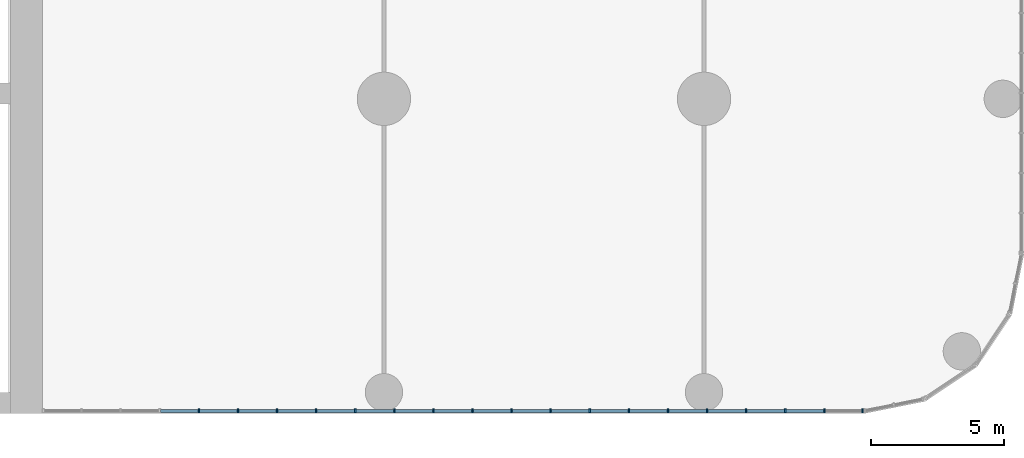
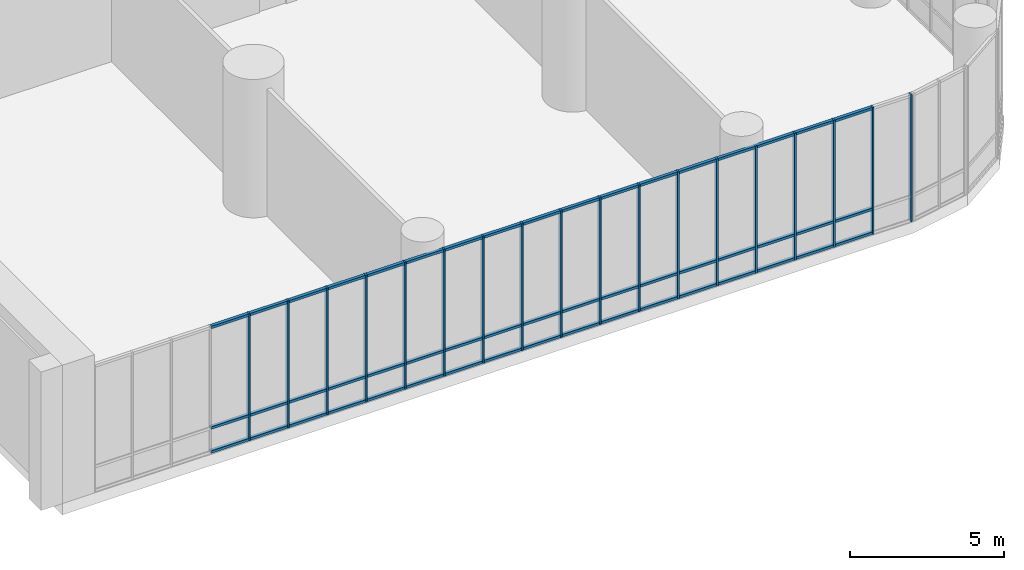
# One storey, part 10 of 28: 69 members, 1 element without a shape of its own.
"""IFC4 building model written with IfcOpenShell, lengths in metres."""

from ifc_helpers import new_model, si_unit, direction, frame, origin, origin_2d, place, context, subcontext, project, spatial, rectangle, extrude, material, layer, layer_set, material_profile, profile_set, type_object, element, aggregate, save


model = new_model("IFC4")

# Units and contexts
model_context = context("Model", 3, precision=1e-05, world=origin(), true_north=direction((0.0, 1.0)))
body_context = subcontext(model_context, "Body", "Model", "MODEL_VIEW")
ifc_project = project(units=[si_unit("LENGTHUNIT", "METRE"), si_unit("AREAUNIT", "SQUARE_METRE"), si_unit("VOLUMEUNIT", "CUBIC_METRE"), si_unit("PLANEANGLEUNIT", "RADIAN"), si_unit("MASSUNIT", "GRAM", prefix="KILO")], contexts=[model_context])

# Site, building, storey
site_placement = place(None, origin())
site = spatial("IfcSite", under=ifc_project, at=site_placement, CompositionType="ELEMENT")
building_placement = place(site_placement, origin())
building = spatial("IfcBuilding", under=site, at=building_placement, Name="Torana Hotel and Residences", CompositionType="ELEMENT")
storey_placement = place(building_placement, frame((0.0, 0.0, 7.0)))
storey = spatial("IfcBuildingStorey", under=building, at=storey_placement, Name="L01", CompositionType="ELEMENT", Elevation=7.0)

# Curtain wall, members
ifc_material_1 = material(Name="Dark anodised aluminium", Category="aluminium")
ifc_layer = layer(ifc_material_1, 0.14990234375)
ifc_layer_set = layer_set([ifc_layer], Name="CW5 PODIUM UPPER UNITISED CURTAIN WALL")
curtain_wall_type = type_object("IfcCurtainWallType", Name="CW5 PODIUM UPPER UNITISED CURTAIN WALL", PredefinedType="NOTDEFINED", material=ifc_layer_set)
curtain_wall_placement = place(storey_placement, origin())
curtain_wall = element("IfcCurtainWall", 1, at=curtain_wall_placement, inside=storey, type_object=curtain_wall_type, Name="Curtain wall CW5 L01 e1.0", PredefinedType="NOTDEFINED")
ifc_material_2 = material(Name="Dark anodised aluminium", Category="aluminium")
ifc_material_profile_1 = material_profile(ifc_material_2, rectangle(XDim=0.14990234375, YDim=0.06005859375, at=origin_2d()), Name="CW5 MULLION 60x150")
ifc_profile_set_1 = profile_set([ifc_material_profile_1], Name="Dark anodised aluminium")
member_type_1 = type_object("IfcMemberType", Name="CW5 MULLION 60x150", PredefinedType="MULLION", material=ifc_profile_set_1)
member_1_placement = place(storey_placement, frame((17.06201171875, -39.89990234375, 0.0), z_axis=(0.0, 0.0, 1.0), x_axis=(0.0, 1.0, 0.0)))
member_1 = element("IfcMember", 2, at=member_1_placement, type_object=member_type_1, Name="CW5 mullion 5", PredefinedType="MULLION", context=body_context, shape_type="SweptSolid", body=[
    extrude(rectangle(XDim=0.14990234375, YDim=0.06005859375, at=origin_2d()), origin(), (0.0, 0.0, 1.0), 5.050048828125),
])
member_2_placement = place(storey_placement, frame((18.527587890625, -39.89990234375, 0.0), z_axis=(0.0, 0.0, 1.0), x_axis=(0.0, 1.0, 0.0)))
member_2 = element("IfcMember", 3, at=member_2_placement, type_object=member_type_1, Name="CW5 mullion 6", PredefinedType="MULLION", context=body_context, shape_type="SweptSolid", body=[
    extrude(rectangle(XDim=0.14990234375, YDim=0.06005859375, at=origin_2d()), origin(), (0.0, 0.0, 1.0), 5.050048828125),
])
member_3_placement = place(storey_placement, frame((19.992919921875, -39.89990234375, 0.0), z_axis=(0.0, 0.0, 1.0), x_axis=(0.0, 1.0, 0.0)))
member_3 = element("IfcMember", 4, at=member_3_placement, type_object=member_type_1, Name="CW5 mullion 7", PredefinedType="MULLION", context=body_context, shape_type="SweptSolid", body=[
    extrude(rectangle(XDim=0.14990234375, YDim=0.06005859375, at=origin_2d()), origin(), (0.0, 0.0, 1.0), 5.050048828125),
])
member_4_placement = place(storey_placement, frame((21.45849609375, -39.89990234375, 0.0), z_axis=(0.0, 0.0, 1.0), x_axis=(0.0, 1.0, 0.0)))
member_4 = element("IfcMember", 5, at=member_4_placement, type_object=member_type_1, Name="CW5 mullion 8", PredefinedType="MULLION", context=body_context, shape_type="SweptSolid", body=[
    extrude(rectangle(XDim=0.14990234375, YDim=0.06005859375, at=origin_2d()), origin(), (0.0, 0.0, 1.0), 5.050048828125),
])
member_5_placement = place(storey_placement, frame((22.924072265625, -39.89990234375, 0.0), z_axis=(0.0, 0.0, 1.0), x_axis=(0.0, 1.0, 0.0)))
member_5 = element("IfcMember", 6, at=member_5_placement, type_object=member_type_1, Name="CW5 mullion 9", PredefinedType="MULLION", context=body_context, shape_type="SweptSolid", body=[
    extrude(rectangle(XDim=0.14990234375, YDim=0.06005859375, at=origin_2d()), origin(), (0.0, 0.0, 1.0), 5.050048828125),
])
member_6_placement = place(storey_placement, frame((24.389404296875, -39.89990234375, 0.0), z_axis=(0.0, 0.0, 1.0), x_axis=(0.0, 1.0, 0.0)))
member_6 = element("IfcMember", 7, at=member_6_placement, type_object=member_type_1, Name="CW5 mullion 10", PredefinedType="MULLION", context=body_context, shape_type="SweptSolid", body=[
    extrude(rectangle(XDim=0.14990234375, YDim=0.06005859375, at=origin_2d()), origin(), (0.0, 0.0, 1.0), 5.050048828125),
])
member_7_placement = place(storey_placement, frame((25.85498046875, -39.89990234375, 0.0), z_axis=(0.0, 0.0, 1.0), x_axis=(0.0, 1.0, 0.0)))
member_7 = element("IfcMember", 8, at=member_7_placement, type_object=member_type_1, Name="CW5 mullion 11", PredefinedType="MULLION", context=body_context, shape_type="SweptSolid", body=[
    extrude(rectangle(XDim=0.14990234375, YDim=0.06005859375, at=origin_2d()), origin(), (0.0, 0.0, 1.0), 5.050048828125),
])
member_8_placement = place(storey_placement, frame((27.320556640625, -39.89990234375, 0.0), z_axis=(0.0, 0.0, 1.0), x_axis=(0.0, 1.0, 0.0)))
member_8 = element("IfcMember", 9, at=member_8_placement, type_object=member_type_1, Name="CW5 mullion 12", PredefinedType="MULLION", context=body_context, shape_type="SweptSolid", body=[
    extrude(rectangle(XDim=0.14990234375, YDim=0.06005859375, at=origin_2d()), origin(), (0.0, 0.0, 1.0), 5.050048828125),
])
member_9_placement = place(storey_placement, frame((28.785888671875, -39.89990234375, 0.0), z_axis=(0.0, 0.0, 1.0), x_axis=(0.0, 1.0, 0.0)))
member_9 = element("IfcMember", 10, at=member_9_placement, type_object=member_type_1, Name="CW5 mullion 13", PredefinedType="MULLION", context=body_context, shape_type="SweptSolid", body=[
    extrude(rectangle(XDim=0.14990234375, YDim=0.06005859375, at=origin_2d()), origin(), (0.0, 0.0, 1.0), 5.050048828125),
])
member_10_placement = place(storey_placement, frame((30.25146484375, -39.89990234375, 0.0), z_axis=(0.0, 0.0, 1.0), x_axis=(0.0, 1.0, 0.0)))
member_10 = element("IfcMember", 11, at=member_10_placement, type_object=member_type_1, Name="CW5 mullion 14", PredefinedType="MULLION", context=body_context, shape_type="SweptSolid", body=[
    extrude(rectangle(XDim=0.14990234375, YDim=0.06005859375, at=origin_2d()), origin(), (0.0, 0.0, 1.0), 5.050048828125),
])
member_11_placement = place(storey_placement, frame((31.717041015625, -39.89990234375, 0.0), z_axis=(0.0, 0.0, 1.0), x_axis=(0.0, 1.0, 0.0)))
member_11 = element("IfcMember", 12, at=member_11_placement, type_object=member_type_1, Name="CW5 mullion 15", PredefinedType="MULLION", context=body_context, shape_type="SweptSolid", body=[
    extrude(rectangle(XDim=0.14990234375, YDim=0.06005859375, at=origin_2d()), origin(), (0.0, 0.0, 1.0), 5.050048828125),
])
member_12_placement = place(storey_placement, frame((33.182373046875, -39.89990234375, 0.0), z_axis=(0.0, 0.0, 1.0), x_axis=(0.0, 1.0, 0.0)))
member_12 = element("IfcMember", 13, at=member_12_placement, type_object=member_type_1, Name="CW5 mullion 16", PredefinedType="MULLION", context=body_context, shape_type="SweptSolid", body=[
    extrude(rectangle(XDim=0.14990234375, YDim=0.06005859375, at=origin_2d()), origin(), (0.0, 0.0, 1.0), 5.050048828125),
])
member_13_placement = place(storey_placement, frame((34.64794921875, -39.89990234375, 0.0), z_axis=(0.0, 0.0, 1.0), x_axis=(0.0, 1.0, 0.0)))
member_13 = element("IfcMember", 14, at=member_13_placement, type_object=member_type_1, Name="CW5 mullion 17", PredefinedType="MULLION", context=body_context, shape_type="SweptSolid", body=[
    extrude(rectangle(XDim=0.14990234375, YDim=0.06005859375, at=origin_2d()), origin(), (0.0, 0.0, 1.0), 5.050048828125),
])
member_14_placement = place(storey_placement, frame((36.113525390625, -39.89990234375, 0.0), z_axis=(0.0, 0.0, 1.0), x_axis=(0.0, 1.0, 0.0)))
member_14 = element("IfcMember", 15, at=member_14_placement, type_object=member_type_1, Name="CW5 mullion 18", PredefinedType="MULLION", context=body_context, shape_type="SweptSolid", body=[
    extrude(rectangle(XDim=0.14990234375, YDim=0.06005859375, at=origin_2d()), origin(), (0.0, 0.0, 1.0), 5.050048828125),
])
member_15_placement = place(storey_placement, frame((37.578857421875, -39.89990234375, 0.0), z_axis=(0.0, 0.0, 1.0), x_axis=(0.0, 1.0, 0.0)))
member_15 = element("IfcMember", 16, at=member_15_placement, type_object=member_type_1, Name="CW5 mullion 19", PredefinedType="MULLION", context=body_context, shape_type="SweptSolid", body=[
    extrude(rectangle(XDim=0.14990234375, YDim=0.06005859375, at=origin_2d()), origin(), (0.0, 0.0, 1.0), 5.050048828125),
])
member_16_placement = place(storey_placement, frame((39.04443359375, -39.89990234375, 0.0), z_axis=(0.0, 0.0, 1.0), x_axis=(0.0, 1.0, 0.0)))
member_16 = element("IfcMember", 17, at=member_16_placement, type_object=member_type_1, Name="CW5 mullion 20", PredefinedType="MULLION", context=body_context, shape_type="SweptSolid", body=[
    extrude(rectangle(XDim=0.14990234375, YDim=0.06005859375, at=origin_2d()), origin(), (0.0, 0.0, 1.0), 5.050048828125),
])
member_17_placement = place(storey_placement, frame((40.510009765625, -39.89990234375, 0.0), z_axis=(0.0, 0.0, 1.0), x_axis=(0.0, 1.0, 0.0)))
member_17 = element("IfcMember", 18, at=member_17_placement, type_object=member_type_1, Name="CW5 mullion 21", PredefinedType="MULLION", context=body_context, shape_type="SweptSolid", body=[
    extrude(rectangle(XDim=0.14990234375, YDim=0.06005859375, at=origin_2d()), origin(), (0.0, 0.0, 1.0), 5.050048828125),
])
member_18_placement = place(storey_placement, frame((41.9453125, -39.89990234375, 0.0), z_axis=(0.0, 0.0, 1.0), x_axis=(0.0, 1.0, 0.0)))
member_18 = element("IfcMember", 19, at=member_18_placement, type_object=member_type_1, Name="CW5 mullion 22", PredefinedType="MULLION", context=body_context, shape_type="SweptSolid", body=[
    extrude(rectangle(XDim=0.14990234375, YDim=0.06005859375, at=origin_2d()), origin(), (0.0, 0.0, 1.0), 5.050048828125),
])
ifc_material_3 = material(Name="Dark anodised aluminium", Category="aluminium")
ifc_material_profile_2 = material_profile(ifc_material_3, rectangle(XDim=0.1201171875, YDim=0.10009765625, at=origin_2d()), Name="CW5 TRANSOM 120x100")
ifc_profile_set_2 = profile_set([ifc_material_profile_2], Name="Dark anodised aluminium")
member_type_2 = type_object("IfcMemberType", Name="CW5 TRANSOM 120x100", PredefinedType="USERDEFINED", material=ifc_profile_set_2)
member_19_placement = place(storey_placement, frame((15.62646484375, -39.89990234375, 0.050048828125), z_axis=(1.0, 0.0, 0.0), x_axis=(0.0, 1.0, 0.0)))
member_19 = element("IfcMember", 20, at=member_19_placement, type_object=member_type_2, Name="CW5 transom 4.1", ObjectType="TRANSOM", PredefinedType="USERDEFINED", context=body_context, shape_type="SweptSolid", body=[
    extrude(rectangle(XDim=0.1201171875, YDim=0.10009765625, at=origin_2d()), origin(), (0.0, 0.0, 1.0), 1.405517578125),
])
member_20_placement = place(storey_placement, frame((15.62646484375, -39.89990234375, 1.0), z_axis=(1.0, 0.0, 0.0), x_axis=(0.0, 1.0, 0.0)))
member_20 = element("IfcMember", 21, at=member_20_placement, type_object=member_type_2, Name="CW5 transom 4.2", ObjectType="TRANSOM", PredefinedType="USERDEFINED", context=body_context, shape_type="SweptSolid", body=[
    extrude(rectangle(XDim=0.1201171875, YDim=0.10009765625, at=origin_2d()), origin(), (0.0, 0.0, 1.0), 1.405517578125),
])
member_21_placement = place(storey_placement, frame((15.62646484375, -39.89990234375, 5.0), z_axis=(1.0, 0.0, 0.0), x_axis=(0.0, 1.0, 0.0)))
member_21 = element("IfcMember", 22, at=member_21_placement, type_object=member_type_2, Name="CW5 transom 4.3", ObjectType="TRANSOM", PredefinedType="USERDEFINED", context=body_context, shape_type="SweptSolid", body=[
    extrude(rectangle(XDim=0.1201171875, YDim=0.10009765625, at=origin_2d()), origin(), (0.0, 0.0, 1.0), 1.405517578125),
])
member_22_placement = place(storey_placement, frame((17.092041015625, -39.89990234375, 0.050048828125), z_axis=(1.0, 0.0, 0.0), x_axis=(0.0, 1.0, 0.0)))
member_22 = element("IfcMember", 23, at=member_22_placement, type_object=member_type_2, Name="CW5 transom 5.1", ObjectType="TRANSOM", PredefinedType="USERDEFINED", context=body_context, shape_type="SweptSolid", body=[
    extrude(rectangle(XDim=0.1201171875, YDim=0.10009765625, at=origin_2d()), origin(), (0.0, 0.0, 1.0), 1.405517578125),
])
member_23_placement = place(storey_placement, frame((17.092041015625, -39.89990234375, 1.0), z_axis=(1.0, 0.0, 0.0), x_axis=(0.0, 1.0, 0.0)))
member_23 = element("IfcMember", 24, at=member_23_placement, type_object=member_type_2, Name="CW5 transom 5.2", ObjectType="TRANSOM", PredefinedType="USERDEFINED", context=body_context, shape_type="SweptSolid", body=[
    extrude(rectangle(XDim=0.1201171875, YDim=0.10009765625, at=origin_2d()), origin(), (0.0, 0.0, 1.0), 1.405517578125),
])
member_24_placement = place(storey_placement, frame((17.092041015625, -39.89990234375, 5.0), z_axis=(1.0, 0.0, 0.0), x_axis=(0.0, 1.0, 0.0)))
member_24 = element("IfcMember", 25, at=member_24_placement, type_object=member_type_2, Name="CW5 transom 5.3", ObjectType="TRANSOM", PredefinedType="USERDEFINED", context=body_context, shape_type="SweptSolid", body=[
    extrude(rectangle(XDim=0.1201171875, YDim=0.10009765625, at=origin_2d()), origin(), (0.0, 0.0, 1.0), 1.405517578125),
])
member_25_placement = place(storey_placement, frame((18.557373046875, -39.89990234375, 0.050048828125), z_axis=(1.0, 0.0, 0.0), x_axis=(0.0, 1.0, 0.0)))
member_25 = element("IfcMember", 26, at=member_25_placement, type_object=member_type_2, Name="CW5 transom 6.1", ObjectType="TRANSOM", PredefinedType="USERDEFINED", context=body_context, shape_type="SweptSolid", body=[
    extrude(rectangle(XDim=0.1201171875, YDim=0.10009765625, at=origin_2d()), origin(), (0.0, 0.0, 1.0), 1.405517578125),
])
member_26_placement = place(storey_placement, frame((18.557373046875, -39.89990234375, 1.0), z_axis=(1.0, 0.0, 0.0), x_axis=(0.0, 1.0, 0.0)))
member_26 = element("IfcMember", 27, at=member_26_placement, type_object=member_type_2, Name="CW5 transom 6.2", ObjectType="TRANSOM", PredefinedType="USERDEFINED", context=body_context, shape_type="SweptSolid", body=[
    extrude(rectangle(XDim=0.1201171875, YDim=0.10009765625, at=origin_2d()), origin(), (0.0, 0.0, 1.0), 1.405517578125),
])
member_27_placement = place(storey_placement, frame((18.557373046875, -39.89990234375, 5.0), z_axis=(1.0, 0.0, 0.0), x_axis=(0.0, 1.0, 0.0)))
member_27 = element("IfcMember", 28, at=member_27_placement, type_object=member_type_2, Name="CW5 transom 6.3", ObjectType="TRANSOM", PredefinedType="USERDEFINED", context=body_context, shape_type="SweptSolid", body=[
    extrude(rectangle(XDim=0.1201171875, YDim=0.10009765625, at=origin_2d()), origin(), (0.0, 0.0, 1.0), 1.405517578125),
])
member_28_placement = place(storey_placement, frame((20.02294921875, -39.89990234375, 0.050048828125), z_axis=(1.0, 0.0, 0.0), x_axis=(0.0, 1.0, 0.0)))
member_28 = element("IfcMember", 29, at=member_28_placement, type_object=member_type_2, Name="CW5 transom 7.1", ObjectType="TRANSOM", PredefinedType="USERDEFINED", context=body_context, shape_type="SweptSolid", body=[
    extrude(rectangle(XDim=0.1201171875, YDim=0.10009765625, at=origin_2d()), origin(), (0.0, 0.0, 1.0), 1.405517578125),
])
member_29_placement = place(storey_placement, frame((20.02294921875, -39.89990234375, 1.0), z_axis=(1.0, 0.0, 0.0), x_axis=(0.0, 1.0, 0.0)))
member_29 = element("IfcMember", 30, at=member_29_placement, type_object=member_type_2, Name="CW5 transom 7.2", ObjectType="TRANSOM", PredefinedType="USERDEFINED", context=body_context, shape_type="SweptSolid", body=[
    extrude(rectangle(XDim=0.1201171875, YDim=0.10009765625, at=origin_2d()), origin(), (0.0, 0.0, 1.0), 1.405517578125),
])
member_30_placement = place(storey_placement, frame((20.02294921875, -39.89990234375, 5.0), z_axis=(1.0, 0.0, 0.0), x_axis=(0.0, 1.0, 0.0)))
member_30 = element("IfcMember", 31, at=member_30_placement, type_object=member_type_2, Name="CW5 transom 7.3", ObjectType="TRANSOM", PredefinedType="USERDEFINED", context=body_context, shape_type="SweptSolid", body=[
    extrude(rectangle(XDim=0.1201171875, YDim=0.10009765625, at=origin_2d()), origin(), (0.0, 0.0, 1.0), 1.405517578125),
])
member_31_placement = place(storey_placement, frame((21.488525390625, -39.89990234375, 0.050048828125), z_axis=(1.0, 0.0, 0.0), x_axis=(0.0, 1.0, 0.0)))
member_31 = element("IfcMember", 32, at=member_31_placement, type_object=member_type_2, Name="CW5 transom 8.1", ObjectType="TRANSOM", PredefinedType="USERDEFINED", context=body_context, shape_type="SweptSolid", body=[
    extrude(rectangle(XDim=0.1201171875, YDim=0.10009765625, at=origin_2d()), origin(), (0.0, 0.0, 1.0), 1.405517578125),
])
member_32_placement = place(storey_placement, frame((21.488525390625, -39.89990234375, 1.0), z_axis=(1.0, 0.0, 0.0), x_axis=(0.0, 1.0, 0.0)))
member_32 = element("IfcMember", 33, at=member_32_placement, type_object=member_type_2, Name="CW5 transom 8.2", ObjectType="TRANSOM", PredefinedType="USERDEFINED", context=body_context, shape_type="SweptSolid", body=[
    extrude(rectangle(XDim=0.1201171875, YDim=0.10009765625, at=origin_2d()), origin(), (0.0, 0.0, 1.0), 1.405517578125),
])
member_33_placement = place(storey_placement, frame((21.488525390625, -39.89990234375, 5.0), z_axis=(1.0, 0.0, 0.0), x_axis=(0.0, 1.0, 0.0)))
member_33 = element("IfcMember", 34, at=member_33_placement, type_object=member_type_2, Name="CW5 transom 8.3", ObjectType="TRANSOM", PredefinedType="USERDEFINED", context=body_context, shape_type="SweptSolid", body=[
    extrude(rectangle(XDim=0.1201171875, YDim=0.10009765625, at=origin_2d()), origin(), (0.0, 0.0, 1.0), 1.405517578125),
])
member_34_placement = place(storey_placement, frame((22.953857421875, -39.89990234375, 0.050048828125), z_axis=(1.0, 0.0, 0.0), x_axis=(0.0, 1.0, 0.0)))
member_34 = element("IfcMember", 35, at=member_34_placement, type_object=member_type_2, Name="CW5 transom 9.1", ObjectType="TRANSOM", PredefinedType="USERDEFINED", context=body_context, shape_type="SweptSolid", body=[
    extrude(rectangle(XDim=0.1201171875, YDim=0.10009765625, at=origin_2d()), origin(), (0.0, 0.0, 1.0), 1.405517578125),
])
member_35_placement = place(storey_placement, frame((22.953857421875, -39.89990234375, 1.0), z_axis=(1.0, 0.0, 0.0), x_axis=(0.0, 1.0, 0.0)))
member_35 = element("IfcMember", 36, at=member_35_placement, type_object=member_type_2, Name="CW5 transom 9.2", ObjectType="TRANSOM", PredefinedType="USERDEFINED", context=body_context, shape_type="SweptSolid", body=[
    extrude(rectangle(XDim=0.1201171875, YDim=0.10009765625, at=origin_2d()), origin(), (0.0, 0.0, 1.0), 1.405517578125),
])
member_36_placement = place(storey_placement, frame((22.953857421875, -39.89990234375, 5.0), z_axis=(1.0, 0.0, 0.0), x_axis=(0.0, 1.0, 0.0)))
member_36 = element("IfcMember", 37, at=member_36_placement, type_object=member_type_2, Name="CW5 transom 9.3", ObjectType="TRANSOM", PredefinedType="USERDEFINED", context=body_context, shape_type="SweptSolid", body=[
    extrude(rectangle(XDim=0.1201171875, YDim=0.10009765625, at=origin_2d()), origin(), (0.0, 0.0, 1.0), 1.405517578125),
])
member_37_placement = place(storey_placement, frame((24.41943359375, -39.89990234375, 0.050048828125), z_axis=(1.0, 0.0, 0.0), x_axis=(0.0, 1.0, 0.0)))
member_37 = element("IfcMember", 38, at=member_37_placement, type_object=member_type_2, Name="CW5 transom 10.1", ObjectType="TRANSOM", PredefinedType="USERDEFINED", context=body_context, shape_type="SweptSolid", body=[
    extrude(rectangle(XDim=0.1201171875, YDim=0.10009765625, at=origin_2d()), origin(), (0.0, 0.0, 1.0), 1.405517578125),
])
member_38_placement = place(storey_placement, frame((24.41943359375, -39.89990234375, 1.0), z_axis=(1.0, 0.0, 0.0), x_axis=(0.0, 1.0, 0.0)))
member_38 = element("IfcMember", 39, at=member_38_placement, type_object=member_type_2, Name="CW5 transom 10.2", ObjectType="TRANSOM", PredefinedType="USERDEFINED", context=body_context, shape_type="SweptSolid", body=[
    extrude(rectangle(XDim=0.1201171875, YDim=0.10009765625, at=origin_2d()), origin(), (0.0, 0.0, 1.0), 1.405517578125),
])
member_39_placement = place(storey_placement, frame((24.41943359375, -39.89990234375, 5.0), z_axis=(1.0, 0.0, 0.0), x_axis=(0.0, 1.0, 0.0)))
member_39 = element("IfcMember", 40, at=member_39_placement, type_object=member_type_2, Name="CW5 transom 10.3", ObjectType="TRANSOM", PredefinedType="USERDEFINED", context=body_context, shape_type="SweptSolid", body=[
    extrude(rectangle(XDim=0.1201171875, YDim=0.10009765625, at=origin_2d()), origin(), (0.0, 0.0, 1.0), 1.405517578125),
])
member_40_placement = place(storey_placement, frame((25.885009765625, -39.89990234375, 0.050048828125), z_axis=(1.0, 0.0, 0.0), x_axis=(0.0, 1.0, 0.0)))
member_40 = element("IfcMember", 41, at=member_40_placement, type_object=member_type_2, Name="CW5 transom 11.1", ObjectType="TRANSOM", PredefinedType="USERDEFINED", context=body_context, shape_type="SweptSolid", body=[
    extrude(rectangle(XDim=0.1201171875, YDim=0.10009765625, at=origin_2d()), origin(), (0.0, 0.0, 1.0), 1.405517578125),
])
member_41_placement = place(storey_placement, frame((25.885009765625, -39.89990234375, 1.0), z_axis=(1.0, 0.0, 0.0), x_axis=(0.0, 1.0, 0.0)))
member_41 = element("IfcMember", 42, at=member_41_placement, type_object=member_type_2, Name="CW5 transom 11.2", ObjectType="TRANSOM", PredefinedType="USERDEFINED", context=body_context, shape_type="SweptSolid", body=[
    extrude(rectangle(XDim=0.1201171875, YDim=0.10009765625, at=origin_2d()), origin(), (0.0, 0.0, 1.0), 1.405517578125),
])
member_42_placement = place(storey_placement, frame((25.885009765625, -39.89990234375, 5.0), z_axis=(1.0, 0.0, 0.0), x_axis=(0.0, 1.0, 0.0)))
member_42 = element("IfcMember", 43, at=member_42_placement, type_object=member_type_2, Name="CW5 transom 11.3", ObjectType="TRANSOM", PredefinedType="USERDEFINED", context=body_context, shape_type="SweptSolid", body=[
    extrude(rectangle(XDim=0.1201171875, YDim=0.10009765625, at=origin_2d()), origin(), (0.0, 0.0, 1.0), 1.405517578125),
])
member_43_placement = place(storey_placement, frame((27.350341796875, -39.89990234375, 0.050048828125), z_axis=(1.0, 0.0, 0.0), x_axis=(0.0, 1.0, 0.0)))
member_43 = element("IfcMember", 44, at=member_43_placement, type_object=member_type_2, Name="CW5 transom 12.1", ObjectType="TRANSOM", PredefinedType="USERDEFINED", context=body_context, shape_type="SweptSolid", body=[
    extrude(rectangle(XDim=0.1201171875, YDim=0.10009765625, at=origin_2d()), origin(), (0.0, 0.0, 1.0), 1.405517578125),
])
member_44_placement = place(storey_placement, frame((27.350341796875, -39.89990234375, 1.0), z_axis=(1.0, 0.0, 0.0), x_axis=(0.0, 1.0, 0.0)))
member_44 = element("IfcMember", 45, at=member_44_placement, type_object=member_type_2, Name="CW5 transom 12.2", ObjectType="TRANSOM", PredefinedType="USERDEFINED", context=body_context, shape_type="SweptSolid", body=[
    extrude(rectangle(XDim=0.1201171875, YDim=0.10009765625, at=origin_2d()), origin(), (0.0, 0.0, 1.0), 1.405517578125),
])
member_45_placement = place(storey_placement, frame((27.350341796875, -39.89990234375, 5.0), z_axis=(1.0, 0.0, 0.0), x_axis=(0.0, 1.0, 0.0)))
member_45 = element("IfcMember", 46, at=member_45_placement, type_object=member_type_2, Name="CW5 transom 12.3", ObjectType="TRANSOM", PredefinedType="USERDEFINED", context=body_context, shape_type="SweptSolid", body=[
    extrude(rectangle(XDim=0.1201171875, YDim=0.10009765625, at=origin_2d()), origin(), (0.0, 0.0, 1.0), 1.405517578125),
])
member_46_placement = place(storey_placement, frame((28.81591796875, -39.89990234375, 0.050048828125), z_axis=(1.0, 0.0, 0.0), x_axis=(0.0, 1.0, 0.0)))
member_46 = element("IfcMember", 47, at=member_46_placement, type_object=member_type_2, Name="CW5 transom 13.1", ObjectType="TRANSOM", PredefinedType="USERDEFINED", context=body_context, shape_type="SweptSolid", body=[
    extrude(rectangle(XDim=0.1201171875, YDim=0.10009765625, at=origin_2d()), origin(), (0.0, 0.0, 1.0), 1.405517578125),
])
member_47_placement = place(storey_placement, frame((28.81591796875, -39.89990234375, 1.0), z_axis=(1.0, 0.0, 0.0), x_axis=(0.0, 1.0, 0.0)))
member_47 = element("IfcMember", 48, at=member_47_placement, type_object=member_type_2, Name="CW5 transom 13.2", ObjectType="TRANSOM", PredefinedType="USERDEFINED", context=body_context, shape_type="SweptSolid", body=[
    extrude(rectangle(XDim=0.1201171875, YDim=0.10009765625, at=origin_2d()), origin(), (0.0, 0.0, 1.0), 1.405517578125),
])
member_48_placement = place(storey_placement, frame((28.81591796875, -39.89990234375, 5.0), z_axis=(1.0, 0.0, 0.0), x_axis=(0.0, 1.0, 0.0)))
member_48 = element("IfcMember", 49, at=member_48_placement, type_object=member_type_2, Name="CW5 transom 13.3", ObjectType="TRANSOM", PredefinedType="USERDEFINED", context=body_context, shape_type="SweptSolid", body=[
    extrude(rectangle(XDim=0.1201171875, YDim=0.10009765625, at=origin_2d()), origin(), (0.0, 0.0, 1.0), 1.405517578125),
])
member_49_placement = place(storey_placement, frame((30.281494140625, -39.89990234375, 0.050048828125), z_axis=(1.0, 0.0, 0.0), x_axis=(0.0, 1.0, 0.0)))
member_49 = element("IfcMember", 50, at=member_49_placement, type_object=member_type_2, Name="CW5 transom 14.1", ObjectType="TRANSOM", PredefinedType="USERDEFINED", context=body_context, shape_type="SweptSolid", body=[
    extrude(rectangle(XDim=0.1201171875, YDim=0.10009765625, at=origin_2d()), origin(), (0.0, 0.0, 1.0), 1.405517578125),
])
member_50_placement = place(storey_placement, frame((30.281494140625, -39.89990234375, 1.0), z_axis=(1.0, 0.0, 0.0), x_axis=(0.0, 1.0, 0.0)))
member_50 = element("IfcMember", 51, at=member_50_placement, type_object=member_type_2, Name="CW5 transom 14.2", ObjectType="TRANSOM", PredefinedType="USERDEFINED", context=body_context, shape_type="SweptSolid", body=[
    extrude(rectangle(XDim=0.1201171875, YDim=0.10009765625, at=origin_2d()), origin(), (0.0, 0.0, 1.0), 1.405517578125),
])
member_51_placement = place(storey_placement, frame((30.281494140625, -39.89990234375, 5.0), z_axis=(1.0, 0.0, 0.0), x_axis=(0.0, 1.0, 0.0)))
member_51 = element("IfcMember", 52, at=member_51_placement, type_object=member_type_2, Name="CW5 transom 14.3", ObjectType="TRANSOM", PredefinedType="USERDEFINED", context=body_context, shape_type="SweptSolid", body=[
    extrude(rectangle(XDim=0.1201171875, YDim=0.10009765625, at=origin_2d()), origin(), (0.0, 0.0, 1.0), 1.405517578125),
])
member_52_placement = place(storey_placement, frame((31.746826171875, -39.89990234375, 0.050048828125), z_axis=(1.0, 0.0, 0.0), x_axis=(0.0, 1.0, 0.0)))
member_52 = element("IfcMember", 53, at=member_52_placement, type_object=member_type_2, Name="CW5 transom 15.1", ObjectType="TRANSOM", PredefinedType="USERDEFINED", context=body_context, shape_type="SweptSolid", body=[
    extrude(rectangle(XDim=0.1201171875, YDim=0.10009765625, at=origin_2d()), origin(), (0.0, 0.0, 1.0), 1.405517578125),
])
member_53_placement = place(storey_placement, frame((31.746826171875, -39.89990234375, 1.0), z_axis=(1.0, 0.0, 0.0), x_axis=(0.0, 1.0, 0.0)))
member_53 = element("IfcMember", 54, at=member_53_placement, type_object=member_type_2, Name="CW5 transom 15.2", ObjectType="TRANSOM", PredefinedType="USERDEFINED", context=body_context, shape_type="SweptSolid", body=[
    extrude(rectangle(XDim=0.1201171875, YDim=0.10009765625, at=origin_2d()), origin(), (0.0, 0.0, 1.0), 1.405517578125),
])
member_54_placement = place(storey_placement, frame((31.746826171875, -39.89990234375, 5.0), z_axis=(1.0, 0.0, 0.0), x_axis=(0.0, 1.0, 0.0)))
member_54 = element("IfcMember", 55, at=member_54_placement, type_object=member_type_2, Name="CW5 transom 15.3", ObjectType="TRANSOM", PredefinedType="USERDEFINED", context=body_context, shape_type="SweptSolid", body=[
    extrude(rectangle(XDim=0.1201171875, YDim=0.10009765625, at=origin_2d()), origin(), (0.0, 0.0, 1.0), 1.405517578125),
])
member_55_placement = place(storey_placement, frame((33.21240234375, -39.89990234375, 0.050048828125), z_axis=(1.0, 0.0, 0.0), x_axis=(0.0, 1.0, 0.0)))
member_55 = element("IfcMember", 56, at=member_55_placement, type_object=member_type_2, Name="CW5 transom 16.1", ObjectType="TRANSOM", PredefinedType="USERDEFINED", context=body_context, shape_type="SweptSolid", body=[
    extrude(rectangle(XDim=0.1201171875, YDim=0.10009765625, at=origin_2d()), origin(), (0.0, 0.0, 1.0), 1.405517578125),
])
member_56_placement = place(storey_placement, frame((33.21240234375, -39.89990234375, 1.0), z_axis=(1.0, 0.0, 0.0), x_axis=(0.0, 1.0, 0.0)))
member_56 = element("IfcMember", 57, at=member_56_placement, type_object=member_type_2, Name="CW5 transom 16.2", ObjectType="TRANSOM", PredefinedType="USERDEFINED", context=body_context, shape_type="SweptSolid", body=[
    extrude(rectangle(XDim=0.1201171875, YDim=0.10009765625, at=origin_2d()), origin(), (0.0, 0.0, 1.0), 1.405517578125),
])
member_57_placement = place(storey_placement, frame((33.21240234375, -39.89990234375, 5.0), z_axis=(1.0, 0.0, 0.0), x_axis=(0.0, 1.0, 0.0)))
member_57 = element("IfcMember", 58, at=member_57_placement, type_object=member_type_2, Name="CW5 transom 16.3", ObjectType="TRANSOM", PredefinedType="USERDEFINED", context=body_context, shape_type="SweptSolid", body=[
    extrude(rectangle(XDim=0.1201171875, YDim=0.10009765625, at=origin_2d()), origin(), (0.0, 0.0, 1.0), 1.405517578125),
])
member_58_placement = place(storey_placement, frame((34.677978515625, -39.89990234375, 0.050048828125), z_axis=(1.0, 0.0, 0.0), x_axis=(0.0, 1.0, 0.0)))
member_58 = element("IfcMember", 59, at=member_58_placement, type_object=member_type_2, Name="CW5 transom 17.1", ObjectType="TRANSOM", PredefinedType="USERDEFINED", context=body_context, shape_type="SweptSolid", body=[
    extrude(rectangle(XDim=0.1201171875, YDim=0.10009765625, at=origin_2d()), origin(), (0.0, 0.0, 1.0), 1.405517578125),
])
member_59_placement = place(storey_placement, frame((34.677978515625, -39.89990234375, 1.0), z_axis=(1.0, 0.0, 0.0), x_axis=(0.0, 1.0, 0.0)))
member_59 = element("IfcMember", 60, at=member_59_placement, type_object=member_type_2, Name="CW5 transom 17.2", ObjectType="TRANSOM", PredefinedType="USERDEFINED", context=body_context, shape_type="SweptSolid", body=[
    extrude(rectangle(XDim=0.1201171875, YDim=0.10009765625, at=origin_2d()), origin(), (0.0, 0.0, 1.0), 1.405517578125),
])
member_60_placement = place(storey_placement, frame((34.677978515625, -39.89990234375, 5.0), z_axis=(1.0, 0.0, 0.0), x_axis=(0.0, 1.0, 0.0)))
member_60 = element("IfcMember", 61, at=member_60_placement, type_object=member_type_2, Name="CW5 transom 17.3", ObjectType="TRANSOM", PredefinedType="USERDEFINED", context=body_context, shape_type="SweptSolid", body=[
    extrude(rectangle(XDim=0.1201171875, YDim=0.10009765625, at=origin_2d()), origin(), (0.0, 0.0, 1.0), 1.405517578125),
])
member_61_placement = place(storey_placement, frame((36.143310546875, -39.89990234375, 0.050048828125), z_axis=(1.0, 0.0, 0.0), x_axis=(0.0, 1.0, 0.0)))
member_61 = element("IfcMember", 62, at=member_61_placement, type_object=member_type_2, Name="CW5 transom 18.1", ObjectType="TRANSOM", PredefinedType="USERDEFINED", context=body_context, shape_type="SweptSolid", body=[
    extrude(rectangle(XDim=0.1201171875, YDim=0.10009765625, at=origin_2d()), origin(), (0.0, 0.0, 1.0), 1.405517578125),
])
member_62_placement = place(storey_placement, frame((36.143310546875, -39.89990234375, 1.0), z_axis=(1.0, 0.0, 0.0), x_axis=(0.0, 1.0, 0.0)))
member_62 = element("IfcMember", 63, at=member_62_placement, type_object=member_type_2, Name="CW5 transom 18.2", ObjectType="TRANSOM", PredefinedType="USERDEFINED", context=body_context, shape_type="SweptSolid", body=[
    extrude(rectangle(XDim=0.1201171875, YDim=0.10009765625, at=origin_2d()), origin(), (0.0, 0.0, 1.0), 1.405517578125),
])
member_63_placement = place(storey_placement, frame((36.143310546875, -39.89990234375, 5.0), z_axis=(1.0, 0.0, 0.0), x_axis=(0.0, 1.0, 0.0)))
member_63 = element("IfcMember", 64, at=member_63_placement, type_object=member_type_2, Name="CW5 transom 18.3", ObjectType="TRANSOM", PredefinedType="USERDEFINED", context=body_context, shape_type="SweptSolid", body=[
    extrude(rectangle(XDim=0.1201171875, YDim=0.10009765625, at=origin_2d()), origin(), (0.0, 0.0, 1.0), 1.405517578125),
])
member_64_placement = place(storey_placement, frame((37.60888671875, -39.89990234375, 0.050048828125), z_axis=(1.0, 0.0, 0.0), x_axis=(0.0, 1.0, 0.0)))
member_64 = element("IfcMember", 65, at=member_64_placement, type_object=member_type_2, Name="CW5 transom 19.1", ObjectType="TRANSOM", PredefinedType="USERDEFINED", context=body_context, shape_type="SweptSolid", body=[
    extrude(rectangle(XDim=0.1201171875, YDim=0.10009765625, at=origin_2d()), origin(), (0.0, 0.0, 1.0), 1.405517578125),
])
member_65_placement = place(storey_placement, frame((37.60888671875, -39.89990234375, 1.0), z_axis=(1.0, 0.0, 0.0), x_axis=(0.0, 1.0, 0.0)))
member_65 = element("IfcMember", 66, at=member_65_placement, type_object=member_type_2, Name="CW5 transom 19.2", ObjectType="TRANSOM", PredefinedType="USERDEFINED", context=body_context, shape_type="SweptSolid", body=[
    extrude(rectangle(XDim=0.1201171875, YDim=0.10009765625, at=origin_2d()), origin(), (0.0, 0.0, 1.0), 1.405517578125),
])
member_66_placement = place(storey_placement, frame((37.60888671875, -39.89990234375, 5.0), z_axis=(1.0, 0.0, 0.0), x_axis=(0.0, 1.0, 0.0)))
member_66 = element("IfcMember", 67, at=member_66_placement, type_object=member_type_2, Name="CW5 transom 19.3", ObjectType="TRANSOM", PredefinedType="USERDEFINED", context=body_context, shape_type="SweptSolid", body=[
    extrude(rectangle(XDim=0.1201171875, YDim=0.10009765625, at=origin_2d()), origin(), (0.0, 0.0, 1.0), 1.405517578125),
])
member_67_placement = place(storey_placement, frame((39.074462890625, -39.89990234375, 0.050048828125), z_axis=(1.0, 0.0, 0.0), x_axis=(0.0, 1.0, 0.0)))
member_67 = element("IfcMember", 68, at=member_67_placement, type_object=member_type_2, Name="CW5 transom 20.1", ObjectType="TRANSOM", PredefinedType="USERDEFINED", context=body_context, shape_type="SweptSolid", body=[
    extrude(rectangle(XDim=0.1201171875, YDim=0.10009765625, at=origin_2d()), origin(), (0.0, 0.0, 1.0), 1.405517578125),
])
member_68_placement = place(storey_placement, frame((39.074462890625, -39.89990234375, 1.0), z_axis=(1.0, 0.0, 0.0), x_axis=(0.0, 1.0, 0.0)))
member_68 = element("IfcMember", 69, at=member_68_placement, type_object=member_type_2, Name="CW5 transom 20.2", ObjectType="TRANSOM", PredefinedType="USERDEFINED", context=body_context, shape_type="SweptSolid", body=[
    extrude(rectangle(XDim=0.1201171875, YDim=0.10009765625, at=origin_2d()), origin(), (0.0, 0.0, 1.0), 1.405517578125),
])
member_69_placement = place(storey_placement, frame((39.074462890625, -39.89990234375, 5.0), z_axis=(1.0, 0.0, 0.0), x_axis=(0.0, 1.0, 0.0)))
member_69 = element("IfcMember", 70, at=member_69_placement, type_object=member_type_2, Name="CW5 transom 20.3", ObjectType="TRANSOM", PredefinedType="USERDEFINED", context=body_context, shape_type="SweptSolid", body=[
    extrude(rectangle(XDim=0.1201171875, YDim=0.10009765625, at=origin_2d()), origin(), (0.0, 0.0, 1.0), 1.405517578125),
])
aggregate(curtain_wall, [member_1, member_2, member_3, member_4, member_5, member_6, member_7, member_8, member_9, member_10, member_11, member_12, member_13, member_14, member_15, member_16, member_17, member_18, member_19, member_20, member_21, member_22, member_23, member_24, member_25, member_26, member_27, member_28, member_29, member_30, member_31, member_32, member_33, member_34, member_35, member_36, member_37, member_38, member_39, member_40, member_41, member_42, member_43, member_44, member_45, member_46, member_47, member_48, member_49, member_50, member_51, member_52, member_53, member_54, member_55, member_56, member_57, member_58, member_59, member_60, member_61, member_62, member_63, member_64, member_65, member_66, member_67, member_68, member_69])

save(model, "model.ifc")
